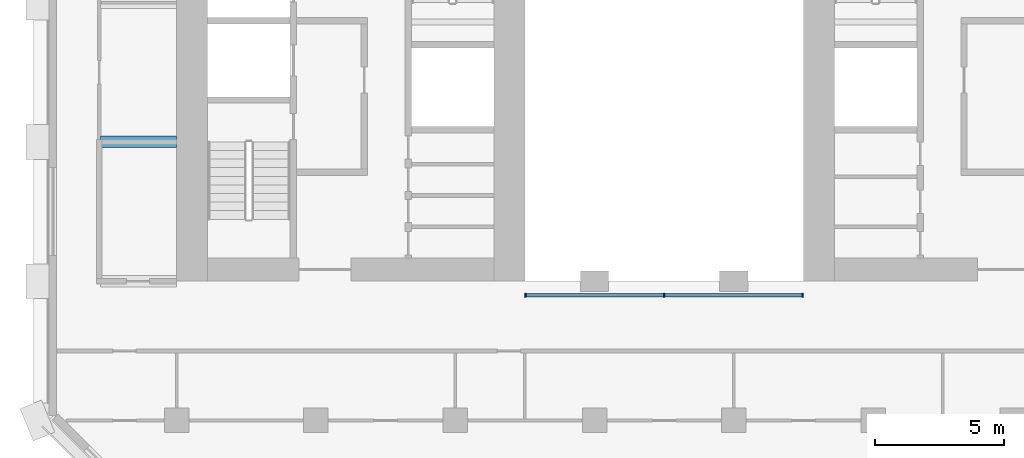
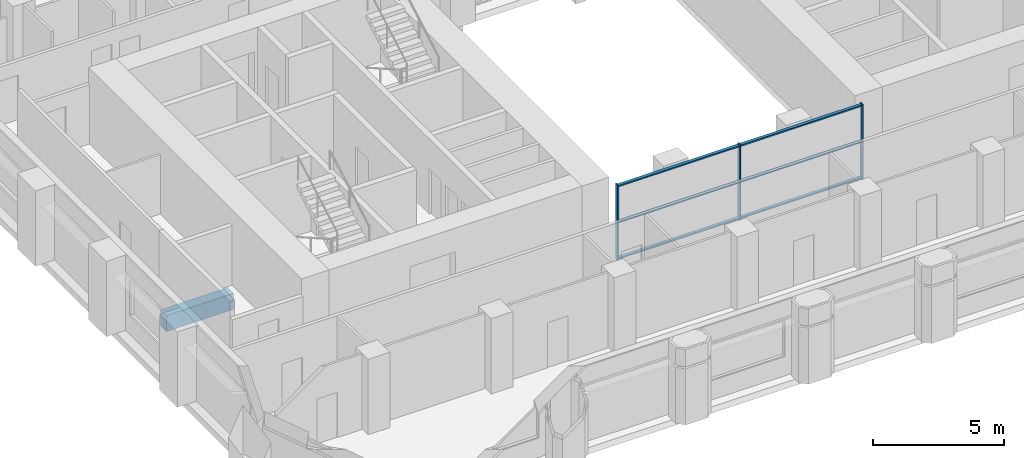
# One storey, part 2 of 13: 9 members, 1 beam, 1 element without a shape of its own.
"""IFC4 building model written with IfcOpenShell, lengths in metres."""

from ifc_helpers import new_model, si_unit, direction, frame, origin, origin_2d, place, context, subcontext, project, spatial, rectangle, extrude, material, material_profile, profile_set, type_object, element, aggregate, save


model = new_model("IFC4")

# Units and contexts
model_context = context("Model", 3, precision=1e-05, world=origin(), true_north=direction((0.0, 1.0)))
body_context = subcontext(model_context, "Body", "Model", "MODEL_VIEW")
ifc_project = project(units=[si_unit("LENGTHUNIT", "METRE"), si_unit("AREAUNIT", "SQUARE_METRE"), si_unit("VOLUMEUNIT", "CUBIC_METRE"), si_unit("PLANEANGLEUNIT", "RADIAN"), si_unit("MASSUNIT", "GRAM", prefix="KILO")], contexts=[model_context])

# Site, building, storey
site_placement = place(None, origin())
site = spatial("IfcSite", under=ifc_project, at=site_placement, CompositionType="ELEMENT")
building_placement = place(site_placement, origin())
building = spatial("IfcBuilding", under=site, at=building_placement, Name="Tabaq Tower and Sports Hall", CompositionType="ELEMENT")
storey_placement = place(building_placement, frame((0.0, 0.0, 103.0)))
storey = spatial("IfcBuildingStorey", under=building, at=storey_placement, Name="L24", CompositionType="ELEMENT", Elevation=103.0)

# Curtain wall, members
ifc_material_1 = material(Name="Aluminium alloy 6063-T6 framed glazing", Category="aluminium")
curtain_wall_type = type_object("IfcCurtainWallType", Name="CW1 curtain wall", PredefinedType="USERDEFINED", material=ifc_material_1)
curtain_wall_placement = place(storey_placement, origin())
curtain_wall = element("IfcCurtainWall", 1, at=curtain_wall_placement, inside=storey, type_object=curtain_wall_type, Name="Atrium glazing L24 S", ObjectType="ATRIUM ENCLOSURE", PredefinedType="USERDEFINED")
ifc_material_2 = material(Name="Aluminium alloy 6063-T6", Category="aluminium")
ifc_material_profile_1 = material_profile(ifc_material_2, rectangle(XDim=0.159912109375, YDim=0.06005859375, at=origin_2d()), Name="MULLION 160x60")
ifc_profile_set_1 = profile_set([ifc_material_profile_1], Name="Aluminium alloy 6063-T6")
member_type_1 = type_object("IfcMemberType", Name="CW1 mullion 160x60", PredefinedType="MULLION", material=ifc_profile_set_1)
member_1_placement = place(storey_placement, frame((18.929931640625, 15.64990234375, 0.0), z_axis=(0.0, 0.0, 1.0), x_axis=(0.0, 1.0, 0.0)))
member_1 = element("IfcMember", 2, at=member_1_placement, type_object=member_type_1, Name="CW1 mullion 1", PredefinedType="MULLION", context=body_context, shape_type="SweptSolid", body=[
    extrude(rectangle(XDim=0.159912109375, YDim=0.06005859375, at=origin_2d()), origin(), (0.0, 0.0, 1.0), 3.5),
])
member_2_placement = place(storey_placement, frame((24.300048828125, 15.64990234375, 0.0), z_axis=(0.0, 0.0, 1.0), x_axis=(0.0, 1.0, 0.0)))
member_2 = element("IfcMember", 3, at=member_2_placement, type_object=member_type_1, Name="CW1 mullion 2", PredefinedType="MULLION", context=body_context, shape_type="SweptSolid", body=[
    extrude(rectangle(XDim=0.159912109375, YDim=0.06005859375, at=origin_2d()), origin(), (0.0, 0.0, 1.0), 3.5),
])
member_3_placement = place(storey_placement, frame((29.669921875, 15.64990234375, 0.0), z_axis=(0.0, 0.0, 1.0), x_axis=(0.0, 1.0, 0.0)))
member_3 = element("IfcMember", 4, at=member_3_placement, type_object=member_type_1, Name="CW1 mullion 3", PredefinedType="MULLION", context=body_context, shape_type="SweptSolid", body=[
    extrude(rectangle(XDim=0.159912109375, YDim=0.06005859375, at=origin_2d()), origin(), (0.0, 0.0, 1.0), 3.5),
])
ifc_material_3 = material(Name="Aluminium alloy 6063-T6", Category="aluminium")
ifc_material_profile_2 = material_profile(ifc_material_3, rectangle(XDim=0.139892578125, YDim=0.06005859375, at=origin_2d()), Name="TRANSOM 140x60")
ifc_profile_set_2 = profile_set([ifc_material_profile_2], Name="Aluminium alloy 6063-T6")
member_type_2 = type_object("IfcMemberType", Name="CW1 transom 140x60", PredefinedType="USERDEFINED", material=ifc_profile_set_2)
member_4_placement = place(storey_placement, frame((18.9599609375, 15.64990234375, 0.070068359375), z_axis=(1.0, 0.0, 0.0), x_axis=(0.0, 1.0, 0.0)))
member_4 = element("IfcMember", 5, at=member_4_placement, type_object=member_type_2, Name="CW1 transom 1.1", ObjectType="TRANSOM", PredefinedType="USERDEFINED", context=body_context, shape_type="SweptSolid", body=[
    extrude(rectangle(XDim=0.139892578125, YDim=0.06005859375, at=origin_2d()), origin(), (0.0, 0.0, 1.0), 5.31005859375),
])
member_5_placement = place(storey_placement, frame((18.9599609375, 15.64990234375, 1.75), z_axis=(1.0, 0.0, 0.0), x_axis=(0.0, 1.0, 0.0)))
member_5 = element("IfcMember", 6, at=member_5_placement, type_object=member_type_2, Name="CW1 transom 1.2", ObjectType="TRANSOM", PredefinedType="USERDEFINED", context=body_context, shape_type="SweptSolid", body=[
    extrude(rectangle(XDim=0.139892578125, YDim=0.06005859375, at=origin_2d()), origin(), (0.0, 0.0, 1.0), 5.31005859375),
])
member_6_placement = place(storey_placement, frame((18.9599609375, 15.64990234375, 3.429931640625), z_axis=(1.0, 0.0, 0.0), x_axis=(0.0, 1.0, 0.0)))
member_6 = element("IfcMember", 7, at=member_6_placement, type_object=member_type_2, Name="CW1 transom 1.3", ObjectType="TRANSOM", PredefinedType="USERDEFINED", context=body_context, shape_type="SweptSolid", body=[
    extrude(rectangle(XDim=0.139892578125, YDim=0.06005859375, at=origin_2d()), origin(), (0.0, 0.0, 1.0), 5.31005859375),
])
member_7_placement = place(storey_placement, frame((24.330078125, 15.64990234375, 0.070068359375), z_axis=(1.0, 0.0, 0.0), x_axis=(0.0, 1.0, 0.0)))
member_7 = element("IfcMember", 8, at=member_7_placement, type_object=member_type_2, Name="CW1 transom 2.1", ObjectType="TRANSOM", PredefinedType="USERDEFINED", context=body_context, shape_type="SweptSolid", body=[
    extrude(rectangle(XDim=0.139892578125, YDim=0.06005859375, at=origin_2d()), origin(), (0.0, 0.0, 1.0), 5.309814453125),
])
member_8_placement = place(storey_placement, frame((24.330078125, 15.64990234375, 1.75), z_axis=(1.0, 0.0, 0.0), x_axis=(0.0, 1.0, 0.0)))
member_8 = element("IfcMember", 9, at=member_8_placement, type_object=member_type_2, Name="CW1 transom 2.2", ObjectType="TRANSOM", PredefinedType="USERDEFINED", context=body_context, shape_type="SweptSolid", body=[
    extrude(rectangle(XDim=0.139892578125, YDim=0.06005859375, at=origin_2d()), origin(), (0.0, 0.0, 1.0), 5.309814453125),
])
member_9_placement = place(storey_placement, frame((24.330078125, 15.64990234375, 3.429931640625), z_axis=(1.0, 0.0, 0.0), x_axis=(0.0, 1.0, 0.0)))
member_9 = element("IfcMember", 10, at=member_9_placement, type_object=member_type_2, Name="CW1 transom 2.3", ObjectType="TRANSOM", PredefinedType="USERDEFINED", context=body_context, shape_type="SweptSolid", body=[
    extrude(rectangle(XDim=0.139892578125, YDim=0.06005859375, at=origin_2d()), origin(), (0.0, 0.0, 1.0), 5.309814453125),
])
aggregate(curtain_wall, [member_1, member_2, member_3, member_4, member_5, member_6, member_7, member_8, member_9])

# Beam
ifc_material_4 = material(Name="Concrete C40/50", Category="concrete")
ifc_material_profile_3 = material_profile(ifc_material_4, rectangle(XDim=0.449951171875, YDim=0.75, at=origin_2d()), Name="CB 450x750")
ifc_profile_set_3 = profile_set([ifc_material_profile_3], Name="Concrete C40/50")
beam_type = type_object("IfcBeamType", Name="PT CANTILEVER BEAM CB 450x750 C40/50", PredefinedType="BEAM", material=ifc_profile_set_3)
beam_placement = place(storey_placement, frame((2.449951171875, 21.60009765625, -0.675048828125), z_axis=(1.0, 0.0, 0.0), x_axis=(0.0, 1.0, 0.0)))
element("IfcBeam", 11, at=beam_placement, inside=storey, type_object=beam_type, Name="Cantilever Beam L24 W4 span 1", PredefinedType="BEAM", context=body_context, shape_type="SweptSolid", body=[
    extrude(rectangle(XDim=0.449951171875, YDim=0.75, at=origin_2d()), origin(), (0.0, 0.0, 1.0), 2.949951171875),
])

save(model, "model.ifc")
